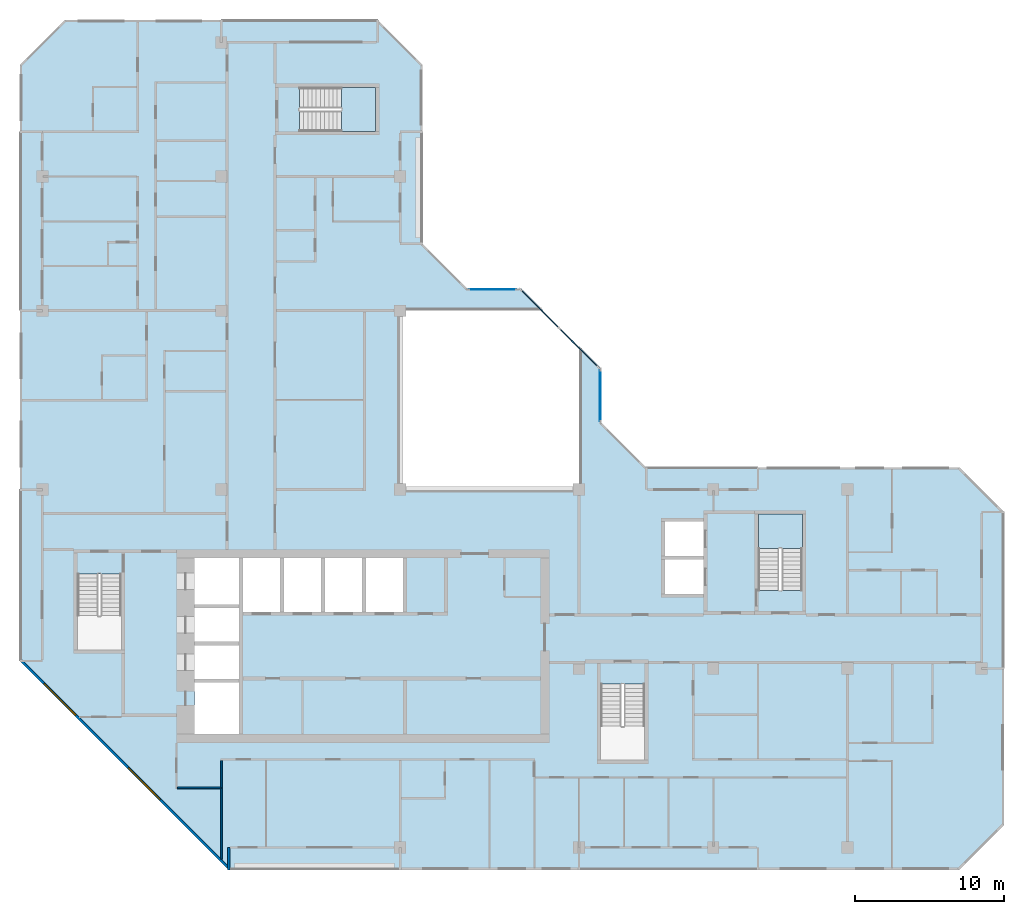
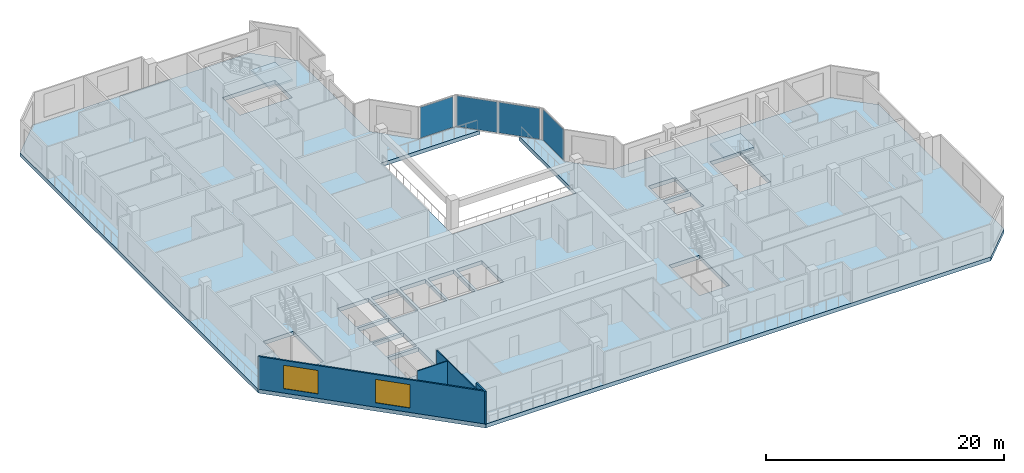
# One storey, part 3 of 13: 4 plates, 4 walls, 3 slabs, 2 windows, 2 openings, 5 elements without a shape of their own.
"""IFC4 building model written with IfcOpenShell, lengths in metres."""

from ifc_helpers import new_model, si_unit, direction, frame, frame_2d, origin, origin_2d, place, context, subcontext, project, spatial, polyline, rectangle, outline, extrude, material, layer, layer_set, type_object, element, fill, aggregate, save


model = new_model("IFC4")

# Units and contexts
model_context = context("Model", 3, precision=1e-05, world=origin(), true_north=direction((0.0, 1.0)))
body_context = subcontext(model_context, "Body", "Model", "MODEL_VIEW")
ifc_project = project(units=[si_unit("LENGTHUNIT", "METRE"), si_unit("AREAUNIT", "SQUARE_METRE"), si_unit("VOLUMEUNIT", "CUBIC_METRE"), si_unit("PLANEANGLEUNIT", "RADIAN"), si_unit("MASSUNIT", "GRAM", prefix="KILO")], contexts=[model_context])

# Site, building, storey
site_placement = place(None, origin())
site = spatial("IfcSite", under=ifc_project, at=site_placement, CompositionType="ELEMENT")
building_placement = place(site_placement, origin())
building = spatial("IfcBuilding", under=site, at=building_placement, Name="Chenar Terraces", CompositionType="ELEMENT")
storey_placement = place(building_placement, frame((0.0, 0.0, 299.64990234375)))
storey = spatial("IfcBuildingStorey", under=building, at=storey_placement, Name="L70", CompositionType="ELEMENT", Elevation=299.64990234375)

# Curtain wall, plate
ifc_material_1 = material(Name="Aluminium framed glazing", Category="aluminium")
ifc_layer_1 = layer(ifc_material_1, 0.14990234375)
ifc_layer_set_1 = layer_set([ifc_layer_1], Name="Aluminium framed glazing")
curtain_wall_type = type_object("IfcCurtainWallType", Name="Atrium upper-zone curtain wall", PredefinedType="NOTDEFINED", material=ifc_layer_set_1)
placement_1 = place(storey_placement, origin())
curtain_wall_1 = element("IfcCurtainWall", 1, at=placement_1, inside=storey, type_object=curtain_wall_type, Name="Atrium upper-zone curtain wall", PredefinedType="NOTDEFINED")
ifc_material_2 = material(Name="Low emissivity laminated glass, solar control coating", Category="glass")
ifc_layer_2 = layer(ifc_material_2, 0.050048828125)
ifc_layer_set_2 = layer_set([ifc_layer_2], Name="Low emissivity laminated glass, solar control coating")
plate_type = type_object("IfcPlateType", Name="Atrium upper-zone glazing panel 50", PredefinedType="CURTAIN_PANEL", material=ifc_layer_set_2)
plate_1_placement = place(storey_placement, frame((37.425048828125, 30.300048828125, 0.10009765625), z_axis=(0.0, 0.0, 1.0), x_axis=(0.0, 1.0, 0.0)))
plate_1 = element("IfcPlate", 2, at=plate_1_placement, type_object=plate_type, Name="CW8-1 panel 1.1", PredefinedType="CURTAIN_PANEL", context=body_context, shape_type="SweptSolid", body=[
    extrude(rectangle(XDim=3.39990234375, YDim=0.050048828125, at=origin_2d()), origin(), (0.0, 0.0, 1.0), 3.14990234375),
])
aggregate(curtain_wall_1, [plate_1])

# Curtain wall, plates
curtain_wall_2 = element("IfcCurtainWall", 3, at=placement_1, inside=storey, type_object=curtain_wall_type, Name="Atrium upper-zone curtain wall", PredefinedType="NOTDEFINED")
plate_2_placement = place(storey_placement, frame((35.97314453125, 33.520751953125, 0.10009765625), z_axis=(0.0, 0.0, 1.0), x_axis=(-0.707106781187, 0.707106781187, 0.0)))
plate_2 = element("IfcPlate", 4, at=plate_2_placement, type_object=plate_type, Name="CW8-2 panel 1.1", PredefinedType="CURTAIN_PANEL", context=body_context, shape_type="SweptSolid", body=[
    extrude(rectangle(XDim=3.568359375, YDim=0.050048828125, at=origin_2d()), origin(), (0.0, 0.0, 1.0), 3.14990234375),
])
plate_3_placement = place(storey_placement, frame((33.379150390625, 36.11474609375, 0.10009765625), z_axis=(0.0, 0.0, 1.0), x_axis=(-0.707106781187, 0.707106781187, 0.0)))
plate_3 = element("IfcPlate", 5, at=plate_3_placement, type_object=plate_type, Name="CW8-2 panel 2.1", PredefinedType="CURTAIN_PANEL", context=body_context, shape_type="SweptSolid", body=[
    extrude(rectangle(XDim=3.568359375, YDim=0.050048828125, at=origin_2d()), origin(), (0.0, 0.0, 1.0), 3.14990234375),
])
aggregate(curtain_wall_2, [plate_2, plate_3])

# Curtain wall, plate
curtain_wall_3 = element("IfcCurtainWall", 6, at=placement_1, inside=storey, type_object=curtain_wall_type, Name="Atrium upper-zone curtain wall", PredefinedType="NOTDEFINED")
plate_4_placement = place(storey_placement, frame((30.199951171875, 37.425048828125, 0.10009765625), z_axis=(0.0, 0.0, 1.0), x_axis=(-1.0, 0.0, 0.0)))
plate_4 = element("IfcPlate", 7, at=plate_4_placement, type_object=plate_type, Name="CW8-3 panel 1.1", PredefinedType="CURTAIN_PANEL", context=body_context, shape_type="SweptSolid", body=[
    extrude(rectangle(XDim=3.199951171875, YDim=0.050048828125, at=origin_2d()), origin(), (0.0, 0.0, 1.0), 3.14990234375),
])
aggregate(curtain_wall_3, [plate_4])

# Stair, slab
ifc_material_3 = material(Name="Reinforced concrete C40/50", Category="concrete")
stair_type = type_object("IfcStairType", Name="Core stair 1400 half-turn", PredefinedType="HALF_TURN_STAIR", material=ifc_material_3)
stair_1 = element("IfcStair", 8, at=placement_1, inside=storey, type_object=stair_type, Name="L70 Stair 3", PredefinedType="HALF_TURN_STAIR")
ifc_material_4 = material(Name="Reinforced concrete C40/50", Category="concrete")
ifc_layer_3 = layer(ifc_material_4, 0.199951171875)
ifc_layer_set_3 = layer_set([ifc_layer_3], Name="Reinforced concrete C40/50")
slab_type_1 = type_object("IfcSlabType", Name="Core stair landing 200", PredefinedType="LANDING", material=ifc_layer_set_3)
placement_2 = place(storey_placement, frame((0.0, 0.0, 1.675048828125)))
slab_1 = element("IfcSlab", 9, at=placement_2, type_object=slab_type_1, Name="ST3 landing 1", PredefinedType="LANDING", context=body_context, shape_type="SweptSolid", body=[
    extrude(outline(polyline([(50.97509765625, 20.050048828125), (50.97509765625, 22.35009765625), (48.02490234375, 22.35009765625), (48.02490234375, 20.050048828125), (50.97509765625, 20.050048828125)])), origin(), (0.0, 0.0, 1.0), 0.199951171875),
])
aggregate(stair_1, [slab_1])

stair_2 = element("IfcStair", 10, at=placement_1, inside=storey, type_object=stair_type, Name="L70 Stair 4", PredefinedType="HALF_TURN_STAIR")
slab_2 = element("IfcSlab", 11, at=placement_2, type_object=slab_type_1, Name="ST4 landing 1", PredefinedType="LANDING", context=body_context, shape_type="SweptSolid", body=[
    extrude(outline(polyline([(20.050048828125, 48.02490234375), (22.35009765625, 48.02490234375), (22.35009765625, 50.97509765625), (20.050048828125, 50.97509765625), (20.050048828125, 48.02490234375)])), origin(), (0.0, 0.0, 1.0), 0.199951171875),
])
aggregate(stair_2, [slab_2])

# Slab
ifc_material_5 = material(Name="Concrete C40/50", Category="concrete")
ifc_layer_4 = layer(ifc_material_5, 0.39990234375)
ifc_layer_set_4 = layer_set([ifc_layer_4], Name="Concrete C40/50")
slab_type_2 = type_object("IfcSlabType", Name="Floor slab 400 Concrete C40/50", PredefinedType="FLOOR", material=ifc_layer_set_4)
slab_3_placement = place(storey_placement, frame((0.0, 0.0, -0.39990234375)))
element("IfcSlab", 12, at=slab_3_placement, inside=storey, type_object=slab_type_2, Name="Floor slab L70", PredefinedType="FLOOR", context=body_context, shape_type="SweptSolid", body=[
    extrude(outline(polyline([(64.5, 22.5), (64.5, 1.5), (61.5, -1.5), (12.5, -1.5), (-1.5, 12.5), (-1.5, 52.5), (1.5, 55.5), (22.5, 55.5), (25.5, 52.5), (25.5, 40.5), (28.5, 37.5), (32.10009765625, 37.5), (33.60009765625, 36.0), (24.0, 36.0), (24.0, 24.0), (36.0, 24.0), (36.0, 33.60009765625), (37.5, 32.10009765625), (37.5, 28.5), (40.5, 25.5), (61.5, 25.5), (64.5, 22.5)]), holes=[polyline([(10.199951171875, 11.050048828125), (10.199951171875, 7.60009765625), (13.199951171875, 7.60009765625), (13.199951171875, 11.050048828125), (10.199951171875, 11.050048828125)]), polyline([(13.199951171875, 13.550048828125), (10.199951171875, 13.550048828125), (10.199951171875, 11.300048828125), (13.199951171875, 11.300048828125), (13.199951171875, 13.550048828125)]), polyline([(13.199951171875, 16.050048828125), (10.199951171875, 16.050048828125), (10.199951171875, 13.800048828125), (13.199951171875, 13.800048828125), (13.199951171875, 16.050048828125)]), polyline([(2.35009765625, 13.25), (5.300048828125, 13.25), (5.300048828125, 18.35009765625), (2.35009765625, 18.35009765625), (2.35009765625, 13.25)]), polyline([(15.949951171875, 19.39990234375), (13.449951171875, 19.39990234375), (13.449951171875, 15.800048828125), (15.949951171875, 15.800048828125), (15.949951171875, 19.39990234375)]), polyline([(18.699951171875, 19.39990234375), (16.199951171875, 19.39990234375), (16.199951171875, 15.800048828125), (18.699951171875, 15.800048828125), (18.699951171875, 19.39990234375)]), polyline([(13.199951171875, 19.39990234375), (10.199951171875, 19.39990234375), (10.199951171875, 16.300048828125), (13.199951171875, 16.300048828125), (13.199951171875, 19.39990234375)]), polyline([(22.35009765625, 48.02490234375), (22.35009765625, 50.97509765625), (17.25, 50.97509765625), (17.25, 48.02490234375), (22.35009765625, 48.02490234375)]), polyline([(37.449951171875, 5.85009765625), (40.39990234375, 5.85009765625), (40.39990234375, 10.949951171875), (37.449951171875, 10.949951171875), (37.449951171875, 5.85009765625)]), polyline([(21.449951171875, 19.39990234375), (18.949951171875, 19.39990234375), (18.949951171875, 15.800048828125), (21.449951171875, 15.800048828125), (21.449951171875, 19.39990234375)]), polyline([(24.199951171875, 19.39990234375), (21.699951171875, 19.39990234375), (21.699951171875, 15.800048828125), (24.199951171875, 15.800048828125), (24.199951171875, 19.39990234375)]), polyline([(44.35009765625, 19.300048828125), (41.75, 19.300048828125), (41.75, 17.0), (44.35009765625, 17.0), (44.35009765625, 19.300048828125)]), polyline([(50.97509765625, 22.35009765625), (48.02490234375, 22.35009765625), (48.02490234375, 17.25), (50.97509765625, 17.25), (50.97509765625, 22.35009765625)]), polyline([(44.35009765625, 21.85009765625), (41.75, 21.85009765625), (41.75, 19.550048828125), (44.35009765625, 19.550048828125), (44.35009765625, 21.85009765625)])]), origin(), (0.0, 0.0, 1.0), 0.39990234375),
])

# Walls
ifc_material_6 = material(Name="Gypsum board on steel studs", Category="steel")
ifc_layer_5 = layer(ifc_material_6, 0.10009765625)
ifc_layer_set_5 = layer_set([ifc_layer_5], Name="Gypsum board on steel studs")
wall_type_1 = type_object("IfcWallType", Name="Gypsum partition 100", PredefinedType="PARTITIONING", material=ifc_layer_set_5)
wall_1_placement = place(storey_placement, frame((9.050048828125, 4.0, 0.0), z_axis=(0.0, 0.0, 1.0), x_axis=(1.0, 0.0, 0.0)))
element("IfcWall", 13, at=wall_1_placement, inside=storey, type_object=wall_type_1, Name="Partition L70-028", PredefinedType="PARTITIONING", context=body_context, shape_type="SweptSolid", body=[
    extrude(rectangle(XDim=2.89990234375, YDim=0.10009765625, at=frame_2d((1.449951171875, 0.0))), origin(), (0.0, 0.0, 1.0), 3.35009765625),
])
wall_2_placement = place(storey_placement, frame((12.0, -0.787841796875, 0.0), z_axis=(0.0, 0.0, 1.0), x_axis=(0.0, 1.0, 0.0)))
element("IfcWall", 14, at=wall_2_placement, inside=storey, type_object=wall_type_1, Name="Partition L70-030", PredefinedType="PARTITIONING", context=body_context, shape_type="SweptSolid", body=[
    extrude(rectangle(XDim=6.61279296875, YDim=0.10009765625, at=frame_2d((3.306396484375, 0.0))), origin(), (0.0, 0.0, 1.0), 3.35009765625),
])
ifc_material_7 = material(Name="Terracotta cladding on insulated backing", Category="masonry")
ifc_layer_6 = layer(ifc_material_7, 0.14990234375)
ifc_layer_set_6 = layer_set([ifc_layer_6], Name="Terracotta cladding on insulated backing")
wall_type_2 = type_object("IfcWallType", Name="Loggia return wall 150", PredefinedType="SOLIDWALL", material=ifc_layer_set_6)
wall_3_placement = place(storey_placement, frame((12.5, -1.5, 0.0), z_axis=(0.0, 0.0, 1.0), x_axis=(0.0, 1.0, 0.0)))
element("IfcWall", 15, at=wall_3_placement, inside=storey, type_object=wall_type_2, Name="Loggia return wall", PredefinedType="SOLIDWALL", context=body_context, shape_type="SweptSolid", body=[
    extrude(rectangle(XDim=1.5, YDim=0.14990234375, at=frame_2d((0.75, 0.0))), origin(), (0.0, 0.0, 1.0), 3.35009765625),
])

# Wall, openings, windows
ifc_material_8 = material(Name="Terracotta cladding on insulated backing", Category="masonry")
ifc_layer_7 = layer(ifc_material_8, 0.14990234375)
ifc_layer_set_7 = layer_set([ifc_layer_7], Name="Terracotta cladding on insulated backing")
wall_type_3 = type_object("IfcWallType", Name="Terracotta rainscreen wall 150", PredefinedType="SOLIDWALL", material=ifc_layer_set_7)
wall_4_placement = place(storey_placement, frame((-1.447021484375, 12.552978515625, 0.0), z_axis=(0.0, 0.0, 1.0), x_axis=(0.707106781187, -0.707106781187, 0.0)))
wall_4 = element("IfcWall", 16, at=wall_4_placement, inside=storey, type_object=wall_type_3, Name="Terracotta rainscreen wall", PredefinedType="SOLIDWALL", context=body_context, shape_type="SweptSolid", body=[
    extrude(rectangle(XDim=19.799072265625, YDim=0.14990234375, at=frame_2d((9.8994140625, 0.0))), origin(), (0.0, 0.0, 1.0), 3.35009765625),
])
opening_1_placement = place(wall_4_placement, frame((2.21240234375, 0.0, 0.449951171875)))
opening_1 = element("IfcOpeningElement", 17, at=opening_1_placement, cuts=wall_4, Name="Opening W300x240", PredefinedType="OPENING", context=body_context, shape_type="SweptSolid", body=[
    extrude(rectangle(XDim=3.0, YDim=2.39990234375, at=frame_2d((1.5, 1.199951171875))), frame((0.0, 0.0849609375, 0.0), z_axis=(0.0, -1.0, 0.0), x_axis=(1.0, 0.0, 0.0)), (0.0, 0.0, 1.0), 0.169921875),
])
opening_2_placement = place(wall_4_placement, frame((10.215576171875, 0.0, 0.449951171875)))
opening_2 = element("IfcOpeningElement", 18, at=opening_2_placement, cuts=wall_4, Name="Opening W300x240", PredefinedType="OPENING", context=body_context, shape_type="SweptSolid", body=[
    extrude(rectangle(XDim=3.0, YDim=2.39990234375, at=frame_2d((1.5, 1.199951171875))), frame((0.0, 0.0849609375, 0.0), z_axis=(0.0, -1.0, 0.0), x_axis=(1.0, 0.0, 0.0)), (0.0, 0.0, 1.0), 0.169921875),
])
ifc_material_9 = material(Name="Low emissivity double glazing, aluminium frame", Category="aluminium")
window_type = type_object("IfcWindowType", Name="Fixed light 3000 x 2400", PartitioningType="SINGLE_PANEL", PredefinedType="WINDOW", material=ifc_material_9)
window_1_placement = place(opening_1_placement, origin())
window_1 = element("IfcWindow", 19, at=window_1_placement, inside=storey, type_object=window_type, Name="Window", OverallHeight=2.39990234375, OverallWidth=3.0, PartitioningType="SINGLE_PANEL", PredefinedType="WINDOW", context=body_context, shape_type="SweptSolid", body=[
    extrude(rectangle(XDim=3.0, YDim=2.39990234375, at=frame_2d((1.5, 1.199951171875))), frame((0.0, 0.030029296875, 0.0), z_axis=(0.0, -1.0, 0.0), x_axis=(1.0, 0.0, 0.0)), (0.0, 0.0, 1.0), 0.06005859375),
])
fill(opening_1, window_1)
window_2_placement = place(opening_2_placement, origin())
window_2 = element("IfcWindow", 20, at=window_2_placement, inside=storey, type_object=window_type, Name="Window", OverallHeight=2.39990234375, OverallWidth=3.0, PartitioningType="SINGLE_PANEL", PredefinedType="WINDOW", context=body_context, shape_type="SweptSolid", body=[
    extrude(rectangle(XDim=3.0, YDim=2.39990234375, at=frame_2d((1.5, 1.199951171875))), frame((0.0, 0.030029296875, 0.0), z_axis=(0.0, -1.0, 0.0), x_axis=(1.0, 0.0, 0.0)), (0.0, 0.0, 1.0), 0.06005859375),
])
fill(opening_2, window_2)

save(model, "model.ifc")
